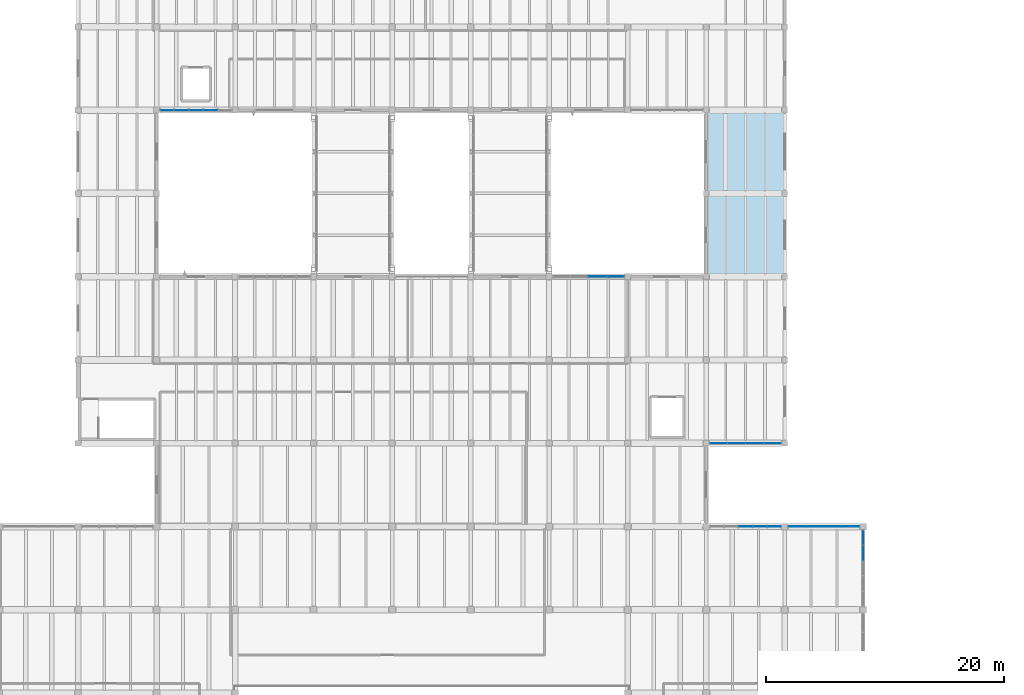
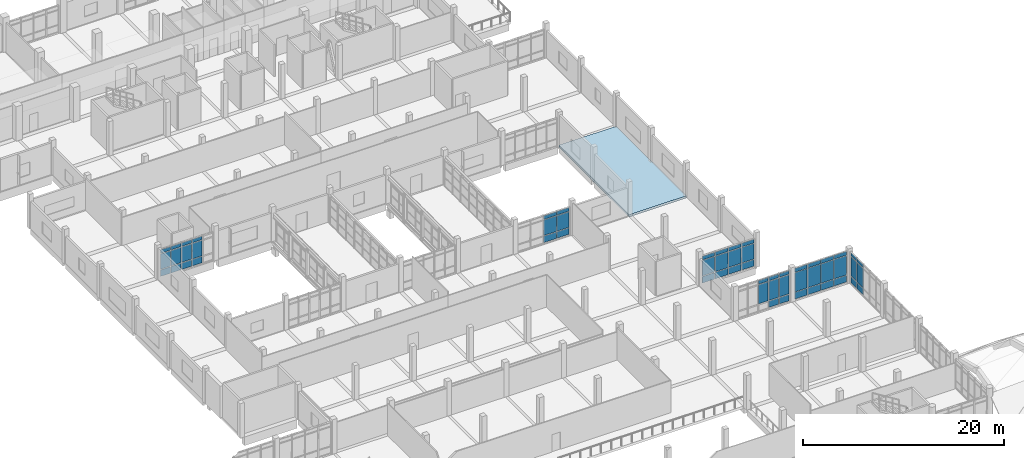
# One storey, part 41 of 65: 56 plates, 1 slab, 6 elements without a shape of their own.
"""IFC4 building model written with IfcOpenShell, lengths in metres."""

from ifc_helpers import new_model, si_unit, direction, frame, origin, origin_2d, place, context, subcontext, project, spatial, polyline, rectangle, outline, extrude, material, layer, layer_set, type_object, element, aggregate, save


model = new_model("IFC4")

# Units and contexts
model_context = context("Model", 3, precision=1e-05, world=origin(), true_north=direction((0.0, 1.0)))
body_context = subcontext(model_context, "Body", "Model", "MODEL_VIEW")
ifc_project = project(units=[si_unit("LENGTHUNIT", "METRE"), si_unit("AREAUNIT", "SQUARE_METRE"), si_unit("VOLUMEUNIT", "CUBIC_METRE"), si_unit("PLANEANGLEUNIT", "RADIAN"), si_unit("MASSUNIT", "GRAM", prefix="KILO")], contexts=[model_context])

# Site, building, storey
site_placement = place(None, origin())
site = spatial("IfcSite", under=ifc_project, at=site_placement, CompositionType="ELEMENT")
building_placement = place(site_placement, origin())
building = spatial("IfcBuilding", under=site, at=building_placement, Name="Ciguamira Faculty of Natural Sciences", CompositionType="ELEMENT")
storey_placement = place(building_placement, frame((0.0, 0.0, 12.60009765625)))
storey = spatial("IfcBuildingStorey", under=building, at=storey_placement, Name="L03", CompositionType="ELEMENT", Elevation=12.60009765625)

# Curtain wall, plates
ifc_material_1 = material(Name="Anodized aluminium curtain wall", Category="aluminium")
curtain_wall_type_1 = type_object("IfcCurtainWallType", Name="CurtainWall_CW-03", PredefinedType="USERDEFINED", material=ifc_material_1)
curtain_wall_1_placement = place(storey_placement, origin())
curtain_wall_1 = element("IfcCurtainWall", 1, at=curtain_wall_1_placement, inside=storey, type_object=curtain_wall_type_1, Name="L03 unitised curtain wall 0087", ObjectType="UNITISED CURTAIN WALL", PredefinedType="USERDEFINED")
ifc_material_2 = material(Name="Low-E laminated solar glass", Category="glass")
ifc_layer_1 = layer(ifc_material_2, 0.028076171875, Name="Low-E laminated solar glass")
ifc_layer_set_1 = layer_set([ifc_layer_1], Name="Low-E laminated solar glass")
plate_type_1 = type_object("IfcPlateType", Name="CWPanel_CWP-01", PredefinedType="CURTAIN_PANEL", material=ifc_layer_set_1)
plate_1_placement = place(storey_placement, frame((113.39990234375, 38.0, 0.93994140625), z_axis=(0.0, 0.0, 1.0), x_axis=(1.0, 0.0, 0.0)))
plate_1 = element("IfcPlate", 2, at=plate_1_placement, type_object=plate_type_1, Name="CW-03 panel 3.2", PredefinedType="CURTAIN_PANEL", context=body_context, shape_type="SweptSolid", body=[
    extrude(rectangle(XDim=1.1298828125, YDim=0.028076171875, at=origin_2d()), origin(), (0.0, 0.0, 1.0), 2.320068359375),
])
plate_2_placement = place(storey_placement, frame((113.39990234375, 38.0, 3.33984375), z_axis=(0.0, 0.0, 1.0), x_axis=(1.0, 0.0, 0.0)))
plate_2 = element("IfcPlate", 3, at=plate_2_placement, type_object=plate_type_1, Name="CW-03 panel 3.3", PredefinedType="CURTAIN_PANEL", context=body_context, shape_type="SweptSolid", body=[
    extrude(rectangle(XDim=1.1298828125, YDim=0.028076171875, at=origin_2d()), origin(), (0.0, 0.0, 1.0), 0.429931640625),
])
plate_3_placement = place(storey_placement, frame((114.610107421875, 38.0, 0.080078125), z_axis=(0.0, 0.0, 1.0), x_axis=(1.0, 0.0, 0.0)))
plate_3 = element("IfcPlate", 4, at=plate_3_placement, type_object=plate_type_1, Name="CW-03 panel 4.1", PredefinedType="CURTAIN_PANEL", context=body_context, shape_type="SweptSolid", body=[
    extrude(rectangle(XDim=1.1298828125, YDim=0.028076171875, at=origin_2d()), origin(), (0.0, 0.0, 1.0), 0.780029296875),
])
plate_4_placement = place(storey_placement, frame((114.610107421875, 38.0, 0.93994140625), z_axis=(0.0, 0.0, 1.0), x_axis=(1.0, 0.0, 0.0)))
plate_4 = element("IfcPlate", 5, at=plate_4_placement, type_object=plate_type_1, Name="CW-03 panel 4.2", PredefinedType="CURTAIN_PANEL", context=body_context, shape_type="SweptSolid", body=[
    extrude(rectangle(XDim=1.1298828125, YDim=0.028076171875, at=origin_2d()), origin(), (0.0, 0.0, 1.0), 2.320068359375),
])
plate_5_placement = place(storey_placement, frame((114.610107421875, 38.0, 3.33984375), z_axis=(0.0, 0.0, 1.0), x_axis=(1.0, 0.0, 0.0)))
plate_5 = element("IfcPlate", 6, at=plate_5_placement, type_object=plate_type_1, Name="CW-03 panel 4.3", PredefinedType="CURTAIN_PANEL", context=body_context, shape_type="SweptSolid", body=[
    extrude(rectangle(XDim=1.1298828125, YDim=0.028076171875, at=origin_2d()), origin(), (0.0, 0.0, 1.0), 0.429931640625),
])
plate_6_placement = place(storey_placement, frame((115.800048828125, 38.0, 0.080078125), z_axis=(0.0, 0.0, 1.0), x_axis=(1.0, 0.0, 0.0)))
plate_6 = element("IfcPlate", 7, at=plate_6_placement, type_object=plate_type_1, Name="CW-03 panel 5.1", PredefinedType="CURTAIN_PANEL", context=body_context, shape_type="SweptSolid", body=[
    extrude(rectangle(XDim=1.090087890625, YDim=0.028076171875, at=origin_2d()), origin(), (0.0, 0.0, 1.0), 0.780029296875),
])
plate_7_placement = place(storey_placement, frame((115.800048828125, 38.0, 0.93994140625), z_axis=(0.0, 0.0, 1.0), x_axis=(1.0, 0.0, 0.0)))
plate_7 = element("IfcPlate", 8, at=plate_7_placement, type_object=plate_type_1, Name="CW-03 panel 5.2", PredefinedType="CURTAIN_PANEL", context=body_context, shape_type="SweptSolid", body=[
    extrude(rectangle(XDim=1.090087890625, YDim=0.028076171875, at=origin_2d()), origin(), (0.0, 0.0, 1.0), 2.320068359375),
])
plate_8_placement = place(storey_placement, frame((115.800048828125, 38.0, 3.33984375), z_axis=(0.0, 0.0, 1.0), x_axis=(1.0, 0.0, 0.0)))
plate_8 = element("IfcPlate", 9, at=plate_8_placement, type_object=plate_type_1, Name="CW-03 panel 5.3", PredefinedType="CURTAIN_PANEL", context=body_context, shape_type="SweptSolid", body=[
    extrude(rectangle(XDim=1.090087890625, YDim=0.028076171875, at=origin_2d()), origin(), (0.0, 0.0, 1.0), 0.429931640625),
])
aggregate(curtain_wall_1, [plate_1, plate_2, plate_3, plate_4, plate_5, plate_6, plate_7, plate_8])

curtain_wall_type_2 = type_object("IfcCurtainWallType", Name="CurtainWall_CW-05", PredefinedType="USERDEFINED", material=ifc_material_1)
curtain_wall_2_placement = place(storey_placement, origin())
curtain_wall_2 = element("IfcCurtainWall", 10, at=curtain_wall_2_placement, inside=storey, type_object=curtain_wall_type_2, Name="L03 unitised curtain wall 0089", ObjectType="UNITISED CURTAIN WALL", PredefinedType="USERDEFINED")
plate_9_placement = place(storey_placement, frame((111.1298828125, 45.0, 0.06982421875), z_axis=(0.0, 0.0, 1.0), x_axis=(1.0, 0.0, 0.0)))
plate_9 = element("IfcPlate", 11, at=plate_9_placement, type_object=plate_type_1, Name="CW-05 panel 1.1", PredefinedType="CURTAIN_PANEL", context=body_context, shape_type="SweptSolid", body=[
    extrude(rectangle(XDim=1.419921875, YDim=0.028076171875, at=origin_2d()), origin(), (0.0, 0.0, 1.0), 0.794921875),
])
plate_10_placement = place(storey_placement, frame((111.1298828125, 45.0, 0.93505859375), z_axis=(0.0, 0.0, 1.0), x_axis=(1.0, 0.0, 0.0)))
plate_10 = element("IfcPlate", 12, at=plate_10_placement, type_object=plate_type_1, Name="CW-05 panel 1.2", PredefinedType="CURTAIN_PANEL", context=body_context, shape_type="SweptSolid", body=[
    extrude(rectangle(XDim=1.419921875, YDim=0.028076171875, at=origin_2d()), origin(), (0.0, 0.0, 1.0), 1.885009765625),
])
plate_11_placement = place(storey_placement, frame((111.1298828125, 45.0, 2.8896484375), z_axis=(0.0, 0.0, 1.0), x_axis=(1.0, 0.0, 0.0)))
plate_11 = element("IfcPlate", 13, at=plate_11_placement, type_object=plate_type_1, Name="CW-05 panel 1.3", PredefinedType="CURTAIN_PANEL", context=body_context, shape_type="SweptSolid", body=[
    extrude(rectangle(XDim=1.419921875, YDim=0.028076171875, at=origin_2d()), origin(), (0.0, 0.0, 1.0), 0.445068359375),
])
plate_12_placement = place(storey_placement, frame((112.637451171875, 45.0, 0.06982421875), z_axis=(0.0, 0.0, 1.0), x_axis=(1.0, 0.0, 0.0)))
plate_12 = element("IfcPlate", 14, at=plate_12_placement, type_object=plate_type_1, Name="CW-05 panel 2.1", PredefinedType="CURTAIN_PANEL", context=body_context, shape_type="SweptSolid", body=[
    extrude(rectangle(XDim=1.455078125, YDim=0.028076171875, at=origin_2d()), origin(), (0.0, 0.0, 1.0), 0.794921875),
])
plate_13_placement = place(storey_placement, frame((112.637451171875, 45.0, 0.93505859375), z_axis=(0.0, 0.0, 1.0), x_axis=(1.0, 0.0, 0.0)))
plate_13 = element("IfcPlate", 15, at=plate_13_placement, type_object=plate_type_1, Name="CW-05 panel 2.2", PredefinedType="CURTAIN_PANEL", context=body_context, shape_type="SweptSolid", body=[
    extrude(rectangle(XDim=1.455078125, YDim=0.028076171875, at=origin_2d()), origin(), (0.0, 0.0, 1.0), 1.885009765625),
])
plate_14_placement = place(storey_placement, frame((112.637451171875, 45.0, 2.8896484375), z_axis=(0.0, 0.0, 1.0), x_axis=(1.0, 0.0, 0.0)))
plate_14 = element("IfcPlate", 16, at=plate_14_placement, type_object=plate_type_1, Name="CW-05 panel 2.3", PredefinedType="CURTAIN_PANEL", context=body_context, shape_type="SweptSolid", body=[
    extrude(rectangle(XDim=1.455078125, YDim=0.028076171875, at=origin_2d()), origin(), (0.0, 0.0, 1.0), 0.445068359375),
])
plate_15_placement = place(storey_placement, frame((114.16259765625, 45.0, 0.06982421875), z_axis=(0.0, 0.0, 1.0), x_axis=(1.0, 0.0, 0.0)))
plate_15 = element("IfcPlate", 17, at=plate_15_placement, type_object=plate_type_1, Name="CW-05 panel 3.1", PredefinedType="CURTAIN_PANEL", context=body_context, shape_type="SweptSolid", body=[
    extrude(rectangle(XDim=1.455078125, YDim=0.028076171875, at=origin_2d()), origin(), (0.0, 0.0, 1.0), 0.794921875),
])
plate_16_placement = place(storey_placement, frame((114.16259765625, 45.0, 0.93505859375), z_axis=(0.0, 0.0, 1.0), x_axis=(1.0, 0.0, 0.0)))
plate_16 = element("IfcPlate", 18, at=plate_16_placement, type_object=plate_type_1, Name="CW-05 panel 3.2", PredefinedType="CURTAIN_PANEL", context=body_context, shape_type="SweptSolid", body=[
    extrude(rectangle(XDim=1.455078125, YDim=0.028076171875, at=origin_2d()), origin(), (0.0, 0.0, 1.0), 1.885009765625),
])
plate_17_placement = place(storey_placement, frame((114.16259765625, 45.0, 2.8896484375), z_axis=(0.0, 0.0, 1.0), x_axis=(1.0, 0.0, 0.0)))
plate_17 = element("IfcPlate", 19, at=plate_17_placement, type_object=plate_type_1, Name="CW-05 panel 3.3", PredefinedType="CURTAIN_PANEL", context=body_context, shape_type="SweptSolid", body=[
    extrude(rectangle(XDim=1.455078125, YDim=0.028076171875, at=origin_2d()), origin(), (0.0, 0.0, 1.0), 0.445068359375),
])
plate_18_placement = place(storey_placement, frame((115.669921875, 45.0, 0.06982421875), z_axis=(0.0, 0.0, 1.0), x_axis=(1.0, 0.0, 0.0)))
plate_18 = element("IfcPlate", 20, at=plate_18_placement, type_object=plate_type_1, Name="CW-05 panel 4.1", PredefinedType="CURTAIN_PANEL", context=body_context, shape_type="SweptSolid", body=[
    extrude(rectangle(XDim=1.419921875, YDim=0.028076171875, at=origin_2d()), origin(), (0.0, 0.0, 1.0), 0.794921875),
])
plate_19_placement = place(storey_placement, frame((115.669921875, 45.0, 0.93505859375), z_axis=(0.0, 0.0, 1.0), x_axis=(1.0, 0.0, 0.0)))
plate_19 = element("IfcPlate", 21, at=plate_19_placement, type_object=plate_type_1, Name="CW-05 panel 4.2", PredefinedType="CURTAIN_PANEL", context=body_context, shape_type="SweptSolid", body=[
    extrude(rectangle(XDim=1.419921875, YDim=0.028076171875, at=origin_2d()), origin(), (0.0, 0.0, 1.0), 1.885009765625),
])
plate_20_placement = place(storey_placement, frame((115.669921875, 45.0, 2.8896484375), z_axis=(0.0, 0.0, 1.0), x_axis=(1.0, 0.0, 0.0)))
plate_20 = element("IfcPlate", 22, at=plate_20_placement, type_object=plate_type_1, Name="CW-05 panel 4.3", PredefinedType="CURTAIN_PANEL", context=body_context, shape_type="SweptSolid", body=[
    extrude(rectangle(XDim=1.419921875, YDim=0.028076171875, at=origin_2d()), origin(), (0.0, 0.0, 1.0), 0.445068359375),
])
aggregate(curtain_wall_2, [plate_9, plate_10, plate_11, plate_12, plate_13, plate_14, plate_15, plate_16, plate_17, plate_18, plate_19, plate_20])

curtain_wall_type_3 = type_object("IfcCurtainWallType", Name="CurtainWall_CW-09", PredefinedType="USERDEFINED", material=ifc_material_1)
curtain_wall_3_placement = place(storey_placement, origin())
curtain_wall_3 = element("IfcCurtainWall", 23, at=curtain_wall_3_placement, inside=storey, type_object=curtain_wall_type_3, Name="L03 unitised curtain wall 0093", ObjectType="UNITISED CURTAIN WALL", PredefinedType="USERDEFINED")
plate_21_placement = place(storey_placement, frame((64.780029296875, 73.0, 0.080078125), z_axis=(0.0, 0.0, 1.0), x_axis=(1.0, 0.0, 0.0)))
plate_21 = element("IfcPlate", 24, at=plate_21_placement, type_object=plate_type_1, Name="CW-09 panel 1.1", PredefinedType="CURTAIN_PANEL", context=body_context, shape_type="SweptSolid", body=[
    extrude(rectangle(XDim=1.10009765625, YDim=0.028076171875, at=origin_2d()), origin(), (0.0, 0.0, 1.0), 0.780029296875),
])
plate_22_placement = place(storey_placement, frame((64.780029296875, 73.0, 0.93994140625), z_axis=(0.0, 0.0, 1.0), x_axis=(1.0, 0.0, 0.0)))
plate_22 = element("IfcPlate", 25, at=plate_22_placement, type_object=plate_type_1, Name="CW-09 panel 1.2", PredefinedType="CURTAIN_PANEL", context=body_context, shape_type="SweptSolid", body=[
    extrude(rectangle(XDim=1.10009765625, YDim=0.028076171875, at=origin_2d()), origin(), (0.0, 0.0, 1.0), 1.875),
])
plate_23_placement = place(storey_placement, frame((64.780029296875, 73.0, 2.89501953125), z_axis=(0.0, 0.0, 1.0), x_axis=(1.0, 0.0, 0.0)))
plate_23 = element("IfcPlate", 26, at=plate_23_placement, type_object=plate_type_1, Name="CW-09 panel 1.3", PredefinedType="CURTAIN_PANEL", context=body_context, shape_type="SweptSolid", body=[
    extrude(rectangle(XDim=1.10009765625, YDim=0.028076171875, at=origin_2d()), origin(), (0.0, 0.0, 1.0), 0.429931640625),
])
plate_24_placement = place(storey_placement, frame((65.97998046875, 73.0, 0.080078125), z_axis=(0.0, 0.0, 1.0), x_axis=(1.0, 0.0, 0.0)))
plate_24 = element("IfcPlate", 27, at=plate_24_placement, type_object=plate_type_1, Name="CW-09 panel 2.1", PredefinedType="CURTAIN_PANEL", context=body_context, shape_type="SweptSolid", body=[
    extrude(rectangle(XDim=1.139892578125, YDim=0.028076171875, at=origin_2d()), origin(), (0.0, 0.0, 1.0), 0.780029296875),
])
plate_25_placement = place(storey_placement, frame((65.97998046875, 73.0, 0.93994140625), z_axis=(0.0, 0.0, 1.0), x_axis=(1.0, 0.0, 0.0)))
plate_25 = element("IfcPlate", 28, at=plate_25_placement, type_object=plate_type_1, Name="CW-09 panel 2.2", PredefinedType="CURTAIN_PANEL", context=body_context, shape_type="SweptSolid", body=[
    extrude(rectangle(XDim=1.139892578125, YDim=0.028076171875, at=origin_2d()), origin(), (0.0, 0.0, 1.0), 1.875),
])
plate_26_placement = place(storey_placement, frame((65.97998046875, 73.0, 2.89501953125), z_axis=(0.0, 0.0, 1.0), x_axis=(1.0, 0.0, 0.0)))
plate_26 = element("IfcPlate", 29, at=plate_26_placement, type_object=plate_type_1, Name="CW-09 panel 2.3", PredefinedType="CURTAIN_PANEL", context=body_context, shape_type="SweptSolid", body=[
    extrude(rectangle(XDim=1.139892578125, YDim=0.028076171875, at=origin_2d()), origin(), (0.0, 0.0, 1.0), 0.429931640625),
])
plate_27_placement = place(storey_placement, frame((67.199951171875, 73.0, 0.080078125), z_axis=(0.0, 0.0, 1.0), x_axis=(1.0, 0.0, 0.0)))
plate_27 = element("IfcPlate", 30, at=plate_27_placement, type_object=plate_type_1, Name="CW-09 panel 3.1", PredefinedType="CURTAIN_PANEL", context=body_context, shape_type="SweptSolid", body=[
    extrude(rectangle(XDim=1.139892578125, YDim=0.028076171875, at=origin_2d()), origin(), (0.0, 0.0, 1.0), 0.780029296875),
])
plate_28_placement = place(storey_placement, frame((67.199951171875, 73.0, 0.93994140625), z_axis=(0.0, 0.0, 1.0), x_axis=(1.0, 0.0, 0.0)))
plate_28 = element("IfcPlate", 31, at=plate_28_placement, type_object=plate_type_1, Name="CW-09 panel 3.2", PredefinedType="CURTAIN_PANEL", context=body_context, shape_type="SweptSolid", body=[
    extrude(rectangle(XDim=1.139892578125, YDim=0.028076171875, at=origin_2d()), origin(), (0.0, 0.0, 1.0), 1.875),
])
plate_29_placement = place(storey_placement, frame((67.199951171875, 73.0, 2.89501953125), z_axis=(0.0, 0.0, 1.0), x_axis=(1.0, 0.0, 0.0)))
plate_29 = element("IfcPlate", 32, at=plate_29_placement, type_object=plate_type_1, Name="CW-09 panel 3.3", PredefinedType="CURTAIN_PANEL", context=body_context, shape_type="SweptSolid", body=[
    extrude(rectangle(XDim=1.139892578125, YDim=0.028076171875, at=origin_2d()), origin(), (0.0, 0.0, 1.0), 0.429931640625),
])
plate_30_placement = place(storey_placement, frame((68.419921875, 73.0, 0.080078125), z_axis=(0.0, 0.0, 1.0), x_axis=(1.0, 0.0, 0.0)))
plate_30 = element("IfcPlate", 33, at=plate_30_placement, type_object=plate_type_1, Name="CW-09 panel 4.1", PredefinedType="CURTAIN_PANEL", context=body_context, shape_type="SweptSolid", body=[
    extrude(rectangle(XDim=1.139892578125, YDim=0.028076171875, at=origin_2d()), origin(), (0.0, 0.0, 1.0), 0.780029296875),
])
plate_31_placement = place(storey_placement, frame((68.419921875, 73.0, 0.93994140625), z_axis=(0.0, 0.0, 1.0), x_axis=(1.0, 0.0, 0.0)))
plate_31 = element("IfcPlate", 34, at=plate_31_placement, type_object=plate_type_1, Name="CW-09 panel 4.2", PredefinedType="CURTAIN_PANEL", context=body_context, shape_type="SweptSolid", body=[
    extrude(rectangle(XDim=1.139892578125, YDim=0.028076171875, at=origin_2d()), origin(), (0.0, 0.0, 1.0), 1.875),
])
plate_32_placement = place(storey_placement, frame((68.419921875, 73.0, 2.89501953125), z_axis=(0.0, 0.0, 1.0), x_axis=(1.0, 0.0, 0.0)))
plate_32 = element("IfcPlate", 35, at=plate_32_placement, type_object=plate_type_1, Name="CW-09 panel 4.3", PredefinedType="CURTAIN_PANEL", context=body_context, shape_type="SweptSolid", body=[
    extrude(rectangle(XDim=1.139892578125, YDim=0.028076171875, at=origin_2d()), origin(), (0.0, 0.0, 1.0), 0.429931640625),
])
aggregate(curtain_wall_3, [plate_21, plate_22, plate_23, plate_24, plate_25, plate_26, plate_27, plate_28, plate_29, plate_30, plate_31, plate_32])

curtain_wall_4_placement = place(storey_placement, origin())
curtain_wall_4 = element("IfcCurtainWall", 36, at=curtain_wall_4_placement, inside=storey, type_object=curtain_wall_type_3, Name="L03 unitised curtain wall 0105", ObjectType="UNITISED CURTAIN WALL", PredefinedType="USERDEFINED")
plate_33_placement = place(storey_placement, frame((123.300048828125, 35.7900390625, 0.080078125), z_axis=(0.0, 0.0, 1.0), x_axis=(0.0, 1.0, 0.0)))
plate_33 = element("IfcPlate", 37, at=plate_33_placement, type_object=plate_type_1, Name="CW-09 panel 4.1", PredefinedType="CURTAIN_PANEL", context=body_context, shape_type="SweptSolid", body=[
    extrude(rectangle(XDim=1.2099609375, YDim=0.028076171875, at=origin_2d()), origin(), (0.0, 0.0, 1.0), 0.780029296875),
])
plate_34_placement = place(storey_placement, frame((123.300048828125, 35.7900390625, 0.93994140625), z_axis=(0.0, 0.0, 1.0), x_axis=(0.0, 1.0, 0.0)))
plate_34 = element("IfcPlate", 38, at=plate_34_placement, type_object=plate_type_1, Name="CW-09 panel 4.2", PredefinedType="CURTAIN_PANEL", context=body_context, shape_type="SweptSolid", body=[
    extrude(rectangle(XDim=1.2099609375, YDim=0.028076171875, at=origin_2d()), origin(), (0.0, 0.0, 1.0), 2.320068359375),
])
plate_35_placement = place(storey_placement, frame((123.300048828125, 35.7900390625, 3.33984375), z_axis=(0.0, 0.0, 1.0), x_axis=(0.0, 1.0, 0.0)))
plate_35 = element("IfcPlate", 39, at=plate_35_placement, type_object=plate_type_1, Name="CW-09 panel 4.3", PredefinedType="CURTAIN_PANEL", context=body_context, shape_type="SweptSolid", body=[
    extrude(rectangle(XDim=1.2099609375, YDim=0.028076171875, at=origin_2d()), origin(), (0.0, 0.0, 1.0), 0.429931640625),
])
plate_36_placement = place(storey_placement, frame((123.300048828125, 37.06005859375, 0.080078125), z_axis=(0.0, 0.0, 1.0), x_axis=(0.0, 1.0, 0.0)))
plate_36 = element("IfcPlate", 40, at=plate_36_placement, type_object=plate_type_1, Name="CW-09 panel 5.1", PredefinedType="CURTAIN_PANEL", context=body_context, shape_type="SweptSolid", body=[
    extrude(rectangle(XDim=1.169921875, YDim=0.028076171875, at=origin_2d()), origin(), (0.0, 0.0, 1.0), 0.780029296875),
])
plate_37_placement = place(storey_placement, frame((123.300048828125, 37.06005859375, 0.93994140625), z_axis=(0.0, 0.0, 1.0), x_axis=(0.0, 1.0, 0.0)))
plate_37 = element("IfcPlate", 41, at=plate_37_placement, type_object=plate_type_1, Name="CW-09 panel 5.2", PredefinedType="CURTAIN_PANEL", context=body_context, shape_type="SweptSolid", body=[
    extrude(rectangle(XDim=1.169921875, YDim=0.028076171875, at=origin_2d()), origin(), (0.0, 0.0, 1.0), 2.320068359375),
])
plate_38_placement = place(storey_placement, frame((123.300048828125, 37.06005859375, 3.33984375), z_axis=(0.0, 0.0, 1.0), x_axis=(0.0, 1.0, 0.0)))
plate_38 = element("IfcPlate", 42, at=plate_38_placement, type_object=plate_type_1, Name="CW-09 panel 5.3", PredefinedType="CURTAIN_PANEL", context=body_context, shape_type="SweptSolid", body=[
    extrude(rectangle(XDim=1.169921875, YDim=0.028076171875, at=origin_2d()), origin(), (0.0, 0.0, 1.0), 0.429931640625),
])
aggregate(curtain_wall_4, [plate_33, plate_34, plate_35, plate_36, plate_37, plate_38])

curtain_wall_type_4 = type_object("IfcCurtainWallType", Name="CurtainWall_CW-04", PredefinedType="USERDEFINED", material=ifc_material_1)
curtain_wall_5_placement = place(storey_placement, origin())
curtain_wall_5 = element("IfcCurtainWall", 43, at=curtain_wall_5_placement, inside=storey, type_object=curtain_wall_type_4, Name="L03 unitised curtain wall 0088", ObjectType="UNITISED CURTAIN WALL", PredefinedType="USERDEFINED")
ifc_layer_2 = layer(ifc_material_2, 0.035888671875, Name="Low-E laminated solar glass")
ifc_layer_set_2 = layer_set([ifc_layer_2], Name="Low-E laminated solar glass")
plate_type_2 = type_object("IfcPlateType", Name="CWPanel_CWP-02", PredefinedType="CURTAIN_PANEL", material=ifc_layer_set_2)
plate_39_placement = place(storey_placement, frame((117.746337890625, 38.0, 0.059814453125), z_axis=(0.0, 0.0, 1.0), x_axis=(1.0, 0.0, 0.0)))
plate_39 = element("IfcPlate", 44, at=plate_39_placement, type_object=plate_type_2, Name="CW-04 panel 1.1", PredefinedType="CURTAIN_PANEL", context=body_context, shape_type="SweptSolid", body=[
    extrude(rectangle(XDim=1.422607421875, YDim=0.035888671875, at=origin_2d()), origin(), (0.0, 0.0, 1.0), 0.81005859375),
])
plate_40_placement = place(storey_placement, frame((117.746337890625, 38.0, 0.9296875), z_axis=(0.0, 0.0, 1.0), x_axis=(1.0, 0.0, 0.0)))
plate_40 = element("IfcPlate", 45, at=plate_40_placement, type_object=plate_type_2, Name="CW-04 panel 1.2", PredefinedType="CURTAIN_PANEL", context=body_context, shape_type="SweptSolid", body=[
    extrude(rectangle(XDim=1.422607421875, YDim=0.035888671875, at=origin_2d()), origin(), (0.0, 0.0, 1.0), 2.340087890625),
])
plate_41_placement = place(storey_placement, frame((117.746337890625, 38.0, 3.329833984375), z_axis=(0.0, 0.0, 1.0), x_axis=(1.0, 0.0, 0.0)))
plate_41 = element("IfcPlate", 46, at=plate_41_placement, type_object=plate_type_2, Name="CW-04 panel 1.3", PredefinedType="CURTAIN_PANEL", context=body_context, shape_type="SweptSolid", body=[
    extrude(rectangle(XDim=1.422607421875, YDim=0.035888671875, at=origin_2d()), origin(), (0.0, 0.0, 1.0), 0.4599609375),
])
plate_42_placement = place(storey_placement, frame((119.24365234375, 38.0, 0.059814453125), z_axis=(0.0, 0.0, 1.0), x_axis=(1.0, 0.0, 0.0)))
plate_42 = element("IfcPlate", 47, at=plate_42_placement, type_object=plate_type_2, Name="CW-04 panel 2.1", PredefinedType="CURTAIN_PANEL", context=body_context, shape_type="SweptSolid", body=[
    extrude(rectangle(XDim=1.452392578125, YDim=0.035888671875, at=origin_2d()), origin(), (0.0, 0.0, 1.0), 0.81005859375),
])
plate_43_placement = place(storey_placement, frame((119.24365234375, 38.0, 0.9296875), z_axis=(0.0, 0.0, 1.0), x_axis=(1.0, 0.0, 0.0)))
plate_43 = element("IfcPlate", 48, at=plate_43_placement, type_object=plate_type_2, Name="CW-04 panel 2.2", PredefinedType="CURTAIN_PANEL", context=body_context, shape_type="SweptSolid", body=[
    extrude(rectangle(XDim=1.452392578125, YDim=0.035888671875, at=origin_2d()), origin(), (0.0, 0.0, 1.0), 2.340087890625),
])
plate_44_placement = place(storey_placement, frame((119.24365234375, 38.0, 3.329833984375), z_axis=(0.0, 0.0, 1.0), x_axis=(1.0, 0.0, 0.0)))
plate_44 = element("IfcPlate", 49, at=plate_44_placement, type_object=plate_type_2, Name="CW-04 panel 2.3", PredefinedType="CURTAIN_PANEL", context=body_context, shape_type="SweptSolid", body=[
    extrude(rectangle(XDim=1.452392578125, YDim=0.035888671875, at=origin_2d()), origin(), (0.0, 0.0, 1.0), 0.4599609375),
])
plate_45_placement = place(storey_placement, frame((120.75634765625, 38.0, 0.059814453125), z_axis=(0.0, 0.0, 1.0), x_axis=(1.0, 0.0, 0.0)))
plate_45 = element("IfcPlate", 50, at=plate_45_placement, type_object=plate_type_2, Name="CW-04 panel 3.1", PredefinedType="CURTAIN_PANEL", context=body_context, shape_type="SweptSolid", body=[
    extrude(rectangle(XDim=1.452392578125, YDim=0.035888671875, at=origin_2d()), origin(), (0.0, 0.0, 1.0), 0.81005859375),
])
plate_46_placement = place(storey_placement, frame((120.75634765625, 38.0, 0.9296875), z_axis=(0.0, 0.0, 1.0), x_axis=(1.0, 0.0, 0.0)))
plate_46 = element("IfcPlate", 51, at=plate_46_placement, type_object=plate_type_2, Name="CW-04 panel 3.2", PredefinedType="CURTAIN_PANEL", context=body_context, shape_type="SweptSolid", body=[
    extrude(rectangle(XDim=1.452392578125, YDim=0.035888671875, at=origin_2d()), origin(), (0.0, 0.0, 1.0), 2.340087890625),
])
plate_47_placement = place(storey_placement, frame((120.75634765625, 38.0, 3.329833984375), z_axis=(0.0, 0.0, 1.0), x_axis=(1.0, 0.0, 0.0)))
plate_47 = element("IfcPlate", 52, at=plate_47_placement, type_object=plate_type_2, Name="CW-04 panel 3.3", PredefinedType="CURTAIN_PANEL", context=body_context, shape_type="SweptSolid", body=[
    extrude(rectangle(XDim=1.452392578125, YDim=0.035888671875, at=origin_2d()), origin(), (0.0, 0.0, 1.0), 0.4599609375),
])
plate_48_placement = place(storey_placement, frame((122.253662109375, 38.0, 0.059814453125), z_axis=(0.0, 0.0, 1.0), x_axis=(1.0, 0.0, 0.0)))
plate_48 = element("IfcPlate", 53, at=plate_48_placement, type_object=plate_type_2, Name="CW-04 panel 4.1", PredefinedType="CURTAIN_PANEL", context=body_context, shape_type="SweptSolid", body=[
    extrude(rectangle(XDim=1.422607421875, YDim=0.035888671875, at=origin_2d()), origin(), (0.0, 0.0, 1.0), 0.81005859375),
])
plate_49_placement = place(storey_placement, frame((122.253662109375, 38.0, 0.9296875), z_axis=(0.0, 0.0, 1.0), x_axis=(1.0, 0.0, 0.0)))
plate_49 = element("IfcPlate", 54, at=plate_49_placement, type_object=plate_type_2, Name="CW-04 panel 4.2", PredefinedType="CURTAIN_PANEL", context=body_context, shape_type="SweptSolid", body=[
    extrude(rectangle(XDim=1.422607421875, YDim=0.035888671875, at=origin_2d()), origin(), (0.0, 0.0, 1.0), 2.340087890625),
])
plate_50_placement = place(storey_placement, frame((122.253662109375, 38.0, 3.329833984375), z_axis=(0.0, 0.0, 1.0), x_axis=(1.0, 0.0, 0.0)))
plate_50 = element("IfcPlate", 55, at=plate_50_placement, type_object=plate_type_2, Name="CW-04 panel 4.3", PredefinedType="CURTAIN_PANEL", context=body_context, shape_type="SweptSolid", body=[
    extrude(rectangle(XDim=1.422607421875, YDim=0.035888671875, at=origin_2d()), origin(), (0.0, 0.0, 1.0), 0.4599609375),
])
aggregate(curtain_wall_5, [plate_39, plate_40, plate_41, plate_42, plate_43, plate_44, plate_45, plate_46, plate_47, plate_48, plate_49, plate_50])

curtain_wall_type_5 = type_object("IfcCurtainWallType", Name="CurtainWall_CW-08", PredefinedType="USERDEFINED", material=ifc_material_1)
curtain_wall_6_placement = place(storey_placement, origin())
curtain_wall_6 = element("IfcCurtainWall", 56, at=curtain_wall_6_placement, inside=storey, type_object=curtain_wall_type_5, Name="L03 unitised curtain wall 0092", ObjectType="UNITISED CURTAIN WALL", PredefinedType="USERDEFINED")
plate_51_placement = place(storey_placement, frame((100.96240234375, 59.0, 0.06982421875), z_axis=(0.0, 0.0, 1.0), x_axis=(1.0, 0.0, 0.0)))
plate_51 = element("IfcPlate", 57, at=plate_51_placement, type_object=plate_type_2, Name="CW-08 panel 3.1", PredefinedType="CURTAIN_PANEL", context=body_context, shape_type="SweptSolid", body=[
    extrude(rectangle(XDim=1.455078125, YDim=0.035888671875, at=origin_2d()), origin(), (0.0, 0.0, 1.0), 0.794921875),
])
plate_52_placement = place(storey_placement, frame((100.96240234375, 59.0, 0.93505859375), z_axis=(0.0, 0.0, 1.0), x_axis=(1.0, 0.0, 0.0)))
plate_52 = element("IfcPlate", 58, at=plate_52_placement, type_object=plate_type_2, Name="CW-08 panel 3.2", PredefinedType="CURTAIN_PANEL", context=body_context, shape_type="SweptSolid", body=[
    extrude(rectangle(XDim=1.455078125, YDim=0.035888671875, at=origin_2d()), origin(), (0.0, 0.0, 1.0), 1.885009765625),
])
plate_53_placement = place(storey_placement, frame((100.96240234375, 59.0, 2.8896484375), z_axis=(0.0, 0.0, 1.0), x_axis=(1.0, 0.0, 0.0)))
plate_53 = element("IfcPlate", 59, at=plate_53_placement, type_object=plate_type_2, Name="CW-08 panel 3.3", PredefinedType="CURTAIN_PANEL", context=body_context, shape_type="SweptSolid", body=[
    extrude(rectangle(XDim=1.455078125, YDim=0.035888671875, at=origin_2d()), origin(), (0.0, 0.0, 1.0), 0.445068359375),
])
plate_54_placement = place(storey_placement, frame((102.469970703125, 59.0, 0.06982421875), z_axis=(0.0, 0.0, 1.0), x_axis=(1.0, 0.0, 0.0)))
plate_54 = element("IfcPlate", 60, at=plate_54_placement, type_object=plate_type_2, Name="CW-08 panel 4.1", PredefinedType="CURTAIN_PANEL", context=body_context, shape_type="SweptSolid", body=[
    extrude(rectangle(XDim=1.419921875, YDim=0.035888671875, at=origin_2d()), origin(), (0.0, 0.0, 1.0), 0.794921875),
])
plate_55_placement = place(storey_placement, frame((102.469970703125, 59.0, 0.93505859375), z_axis=(0.0, 0.0, 1.0), x_axis=(1.0, 0.0, 0.0)))
plate_55 = element("IfcPlate", 61, at=plate_55_placement, type_object=plate_type_2, Name="CW-08 panel 4.2", PredefinedType="CURTAIN_PANEL", context=body_context, shape_type="SweptSolid", body=[
    extrude(rectangle(XDim=1.419921875, YDim=0.035888671875, at=origin_2d()), origin(), (0.0, 0.0, 1.0), 1.885009765625),
])
plate_56_placement = place(storey_placement, frame((102.469970703125, 59.0, 2.8896484375), z_axis=(0.0, 0.0, 1.0), x_axis=(1.0, 0.0, 0.0)))
plate_56 = element("IfcPlate", 62, at=plate_56_placement, type_object=plate_type_2, Name="CW-08 panel 4.3", PredefinedType="CURTAIN_PANEL", context=body_context, shape_type="SweptSolid", body=[
    extrude(rectangle(XDim=1.419921875, YDim=0.035888671875, at=origin_2d()), origin(), (0.0, 0.0, 1.0), 0.445068359375),
])
aggregate(curtain_wall_6, [plate_51, plate_52, plate_53, plate_54, plate_55, plate_56])

# Slab
ifc_material_3 = material(Name="Concrete C40/50", Category="concrete")
ifc_layer_3 = layer(ifc_material_3, 0.280029296875, Name="Concrete C40/50")
ifc_layer_set_3 = layer_set([ifc_layer_3], Name="Concrete C40/50")
slab_type = type_object("IfcSlabType", Name="Slab_SF-03_280", PredefinedType="FLOOR", material=ifc_layer_set_3)
slab_placement = place(storey_placement, frame((0.0, 0.0, -0.280029296875)))
element("IfcSlab", 63, at=slab_placement, inside=storey, type_object=slab_type, Name="L03 V4E structural slab", PredefinedType="FLOOR", context=body_context, shape_type="SweptSolid", body=[
    extrude(outline(polyline([(110.10009765625, 59.0), (116.699951171875, 59.0), (116.699951171875, 73.0), (110.10009765625, 73.0), (110.10009765625, 59.0)])), origin(), (0.0, 0.0, 1.0), 0.280029296875),
])

save(model, "model.ifc")
